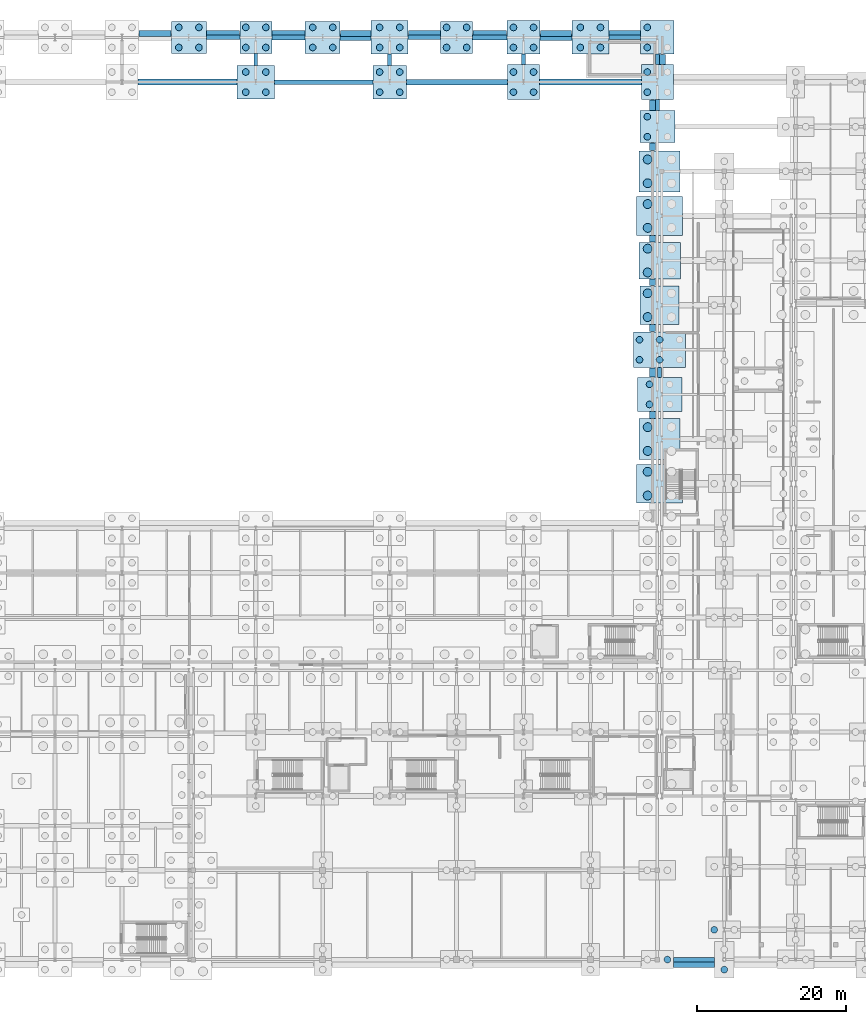
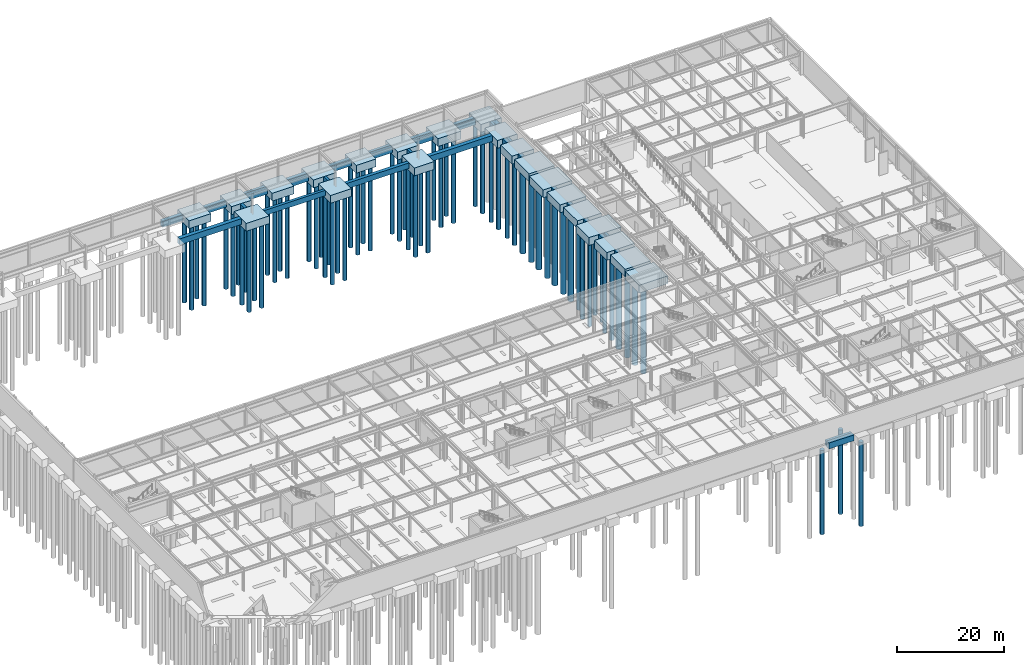
# One storey, part 7 of 65: 67 piles, 56 footings.
"""IFC4 building model written with IfcOpenShell, lengths in metres."""

import ifcopenshell
import ifcopenshell.guid

model = None  # the IFC model being written
_history = None  # IfcOwnerHistory: only IFC2X3 demands one
_inside = {}  # id of a spatial element -> (the spatial element, [elements in it])
_under = {}  # id of a project, library or spatial element -> (it, [spatial elements below it])
_declared = {}  # id of a project -> (the project, [libraries it declares])
_typed = {}  # id of a type object -> (the type object, [elements of that type])
_made_of = {}  # id of a material, layer set ... -> (it, [elements and type objects made of it])


def new_model(schema):
    """Start an empty IFC model of exactly this schema.

    Asked for "IFC4X3", IfcOpenShell would pick the latest addendum, in which some entities
    have other attributes; the version numbers below select the first issue.
    IFC2X3 requires an IfcOwnerHistory on every rooted entity: one is made here for all.
    """
    global model, _history
    if schema == "IFC4X3":
        model = ifcopenshell.file(schema_version=(4, 3, 0, 0))
    else:
        model = ifcopenshell.file(schema=schema)
    _inside.clear()
    _under.clear()
    _declared.clear()
    _typed.clear()
    _made_of.clear()
    _history = None
    if model.schema == "IFC2X3":
        org = make("IfcOrganization", Name="unknown")
        user = make(
            "IfcPersonAndOrganization",
            ThePerson=make("IfcPerson", FamilyName="unknown"),
            TheOrganization=org,
        )
        app = make(
            "IfcApplication",
            ApplicationDeveloper=org,
            Version="unknown",
            ApplicationFullName="unknown",
            ApplicationIdentifier="unknown",
        )
        _history = make(
            "IfcOwnerHistory",
            OwningUser=user,
            OwningApplication=app,
            ChangeAction="ADDED",
            CreationDate=0,
        )
    return model


def make(cls, **values):
    """One entity of the class cls with the attributes given. An attribute that is None is left unset."""
    return model.create_entity(
        cls, **{name: value for name, value in values.items() if value is not None}
    )


def rooted(cls, **values):
    """An entity with a GlobalId (a new one), such as an element, a storey or a relation."""
    return make(cls, GlobalId=ifcopenshell.guid.new(), OwnerHistory=_history, **values)


def si_unit(unit_type, name, prefix=None):
    """IfcSIUnit, for example si_unit("LENGTHUNIT", "METRE", prefix="MILLI")."""
    return make("IfcSIUnit", UnitType=unit_type, Prefix=prefix, Name=name)


def assignment(units):
    """IfcUnitAssignment: the units of a project."""
    return None if units is None else make("IfcUnitAssignment", Units=units)


def point(xyz):
    """IfcCartesianPoint."""
    return None if xyz is None else make("IfcCartesianPoint", Coordinates=xyz)


def direction(xyz):
    """IfcDirection."""
    return None if xyz is None else make("IfcDirection", DirectionRatios=xyz)


def frame(location, z_axis=None, x_axis=None):
    """IfcAxis2Placement3D, a coordinate frame: its origin and axes. An axis left out is left unset."""
    return make(
        "IfcAxis2Placement3D",
        Location=point(location),
        Axis=direction(z_axis),
        RefDirection=direction(x_axis),
    )


def frame_2d(location, x_axis=None):
    """IfcAxis2Placement2D, a coordinate frame in the plane: its origin and x axis."""
    return make(
        "IfcAxis2Placement2D", Location=point(location), RefDirection=direction(x_axis)
    )


def origin():
    """The frame at (0, 0, 0) with its axes left unset."""
    return frame((0.0, 0.0, 0.0))


def origin_2d():
    """The frame at (0, 0) in the plane with its x axis left unset."""
    return frame_2d((0.0, 0.0))


def place(relative_to, where):
    """IfcLocalPlacement: puts the frame where relative to a parent placement (None: the world)."""
    return make(
        "IfcLocalPlacement", PlacementRelTo=relative_to, RelativePlacement=where
    )


def context(
    kind, dimensions, precision=None, world=None, true_north=None, identifier=None
):
    """IfcGeometricRepresentationContext, for example the 3D "Model" context."""
    return make(
        "IfcGeometricRepresentationContext",
        ContextIdentifier=identifier,
        ContextType=kind,
        CoordinateSpaceDimension=dimensions,
        Precision=precision,
        WorldCoordinateSystem=world,
        TrueNorth=true_north,
    )


def subcontext(parent, identifier, kind, view, scale=None):
    """IfcGeometricRepresentationSubContext, for example "Body" below "Model"."""
    return make(
        "IfcGeometricRepresentationSubContext",
        ContextIdentifier=identifier,
        ContextType=kind,
        ParentContext=parent,
        TargetScale=scale,
        TargetView=view,
    )


def project(units=None, contexts=None):
    """IfcProject with its units and contexts."""
    return rooted(
        "IfcProject",
        Name="project",
        RepresentationContexts=contexts,
        UnitsInContext=assignment(units),
    )


def spatial(cls, under=None, at=None, **own):
    """A site, building, storey or space (cls), placed at a placement, below another one or the project."""
    s = rooted(cls, ObjectPlacement=at, **own)
    if under is not None:
        _under.setdefault(under.id(), (under, []))[1].append(s)
    return s


def profile(cls, at=None, kind="AREA", **sizes):
    """A parametric profile (cls). Its sizes go by their IFC names, for example OverallWidth=200.0."""
    return make(cls, ProfileType=kind, Position=at, **sizes)


def rectangle(**sizes):
    """IfcRectangleProfileDef."""
    return profile("IfcRectangleProfileDef", **sizes)


def circle(**sizes):
    """IfcCircleProfileDef."""
    return profile("IfcCircleProfileDef", **sizes)


def extrude(swept, where, along, depth):
    """IfcExtrudedAreaSolid: the profile swept, set in the frame where, extruded along a direction by depth."""
    return make(
        "IfcExtrudedAreaSolid",
        SweptArea=swept,
        Position=where,
        ExtrudedDirection=direction(along),
        Depth=depth,
    )


def shape(context_of_items, identifier, shape_type, items):
    """IfcShapeRepresentation: the items that make up one representation, for example the "Body"."""
    return make(
        "IfcShapeRepresentation",
        ContextOfItems=context_of_items,
        RepresentationIdentifier=identifier,
        RepresentationType=shape_type,
        Items=items,
    )


def material(Name=None, Category=None):
    """IfcMaterial."""
    return make("IfcMaterial", Name=Name, Category=Category)


def material_profile(
    of_material, cross_section, Name=None, Category=None, Priority=None
):
    """IfcMaterialProfile: a cross section and its material."""
    return make(
        "IfcMaterialProfile",
        Name=Name,
        Material=of_material,
        Profile=cross_section,
        Priority=Priority,
        Category=Category,
    )


def profile_set(profiles, Name=None, composite=None):
    """IfcMaterialProfileSet."""
    return make(
        "IfcMaterialProfileSet",
        Name=Name,
        MaterialProfiles=profiles,
        CompositeProfile=composite,
    )


def made_of(thing, what):
    """Note that an element or type object is made of a material, layer set ...; save() writes the relation."""
    if what is not None:
        _made_of.setdefault(what.id(), (what, []))[1].append(thing)
    return thing


def type_object(cls, material=None, **own):
    """A type object (cls), such as IfcWallType, which elements share."""
    return made_of(rooted(cls, **own), material)


def element(
    cls,
    number,
    at=None,
    inside=None,
    cuts=None,
    type_object=None,
    material=None,
    context=None,
    identifier="Body",
    shape_type=None,
    held_by="IfcProductDefinitionShape",
    body=None,
    shapes=None,
    **own,
):
    """One element of the class cls, such as IfcWall. Its Tag is "e" and its number.

    at: its placement. inside: the storey or other place that contains it. cuts: it is an
    opening in that element (IfcRelVoidsElement). A single representation is given by context,
    identifier, shape_type and body (its items); several are given by shapes. held_by: the class
    of the entity that holds the representations. save() writes the other relations.
    """
    e = rooted(cls, Tag="e%d" % number, ObjectPlacement=at, **own)
    if body is not None:
        shapes = [shape(context, identifier, shape_type, body)]
    if shapes is not None:
        e.Representation = make(held_by, Representations=shapes)
    if inside is not None:
        _inside.setdefault(inside.id(), (inside, []))[1].append(e)
    if cuts is not None:
        rooted(
            "IfcRelVoidsElement", RelatingBuildingElement=cuts, RelatedOpeningElement=e
        )
    if type_object is not None:
        _typed.setdefault(type_object.id(), (type_object, []))[1].append(e)
    return made_of(e, material)


def aggregate(whole, parts):
    """IfcRelAggregates: a whole, such as a stair, and the parts it consists of."""
    return rooted("IfcRelAggregates", RelatingObject=whole, RelatedObjects=parts)


def save(model, path):
    """Write the relations noted so far, then the file.

    IfcRelAggregates (storeys below a building ...), IfcRelContainedInSpatialStructure (elements
    in a storey), IfcRelDefinesByType, IfcRelAssociatesMaterial and IfcRelDeclares: one each for
    every whole, place, type object, material and project.
    """
    for whole, parts in _under.values():
        aggregate(whole, parts)
    for where, things in _inside.values():
        rooted(
            "IfcRelContainedInSpatialStructure",
            RelatedElements=things,
            RelatingStructure=where,
        )
    for kind, things in _typed.values():
        rooted("IfcRelDefinesByType", RelatedObjects=things, RelatingType=kind)
    for what, things in _made_of.values():
        rooted("IfcRelAssociatesMaterial", RelatedObjects=things, RelatingMaterial=what)
    for by, libraries in _declared.values():
        rooted("IfcRelDeclares", RelatingContext=by, RelatedDefinitions=libraries)
    model.write(path)


model = new_model("IFC4")

# Units and contexts
model_context = context("Model", 3, precision=1e-05, world=origin(), true_north=direction((0.0, 1.0)))
body_context = subcontext(model_context, "Body", "Model", "MODEL_VIEW")
ifc_project = project(units=[si_unit("LENGTHUNIT", "METRE"), si_unit("AREAUNIT", "SQUARE_METRE"), si_unit("VOLUMEUNIT", "CUBIC_METRE"), si_unit("PLANEANGLEUNIT", "RADIAN"), si_unit("MASSUNIT", "GRAM", prefix="KILO")], contexts=[model_context])

# Site, building, storey
site_placement = place(None, origin())
site = spatial("IfcSite", under=ifc_project, at=site_placement, CompositionType="ELEMENT")
building_placement = place(site_placement, origin())
building = spatial("IfcBuilding", under=site, at=building_placement, Name="Kaldris Quays Convention Centre", CompositionType="ELEMENT")
storey_placement = place(building_placement, frame((0.0, 0.0, -5.39990234375)))
storey = spatial("IfcBuildingStorey", under=building, at=storey_placement, Name="B1", CompositionType="ELEMENT", Elevation=-5.39990234375)

# Piles
ifc_material = material(Name="Concrete C35/45", Category="concrete")
ifc_material_profile_1 = material_profile(ifc_material, circle(Radius=0.449951171875, at=origin_2d()), Name="BORED PILE D900")
ifc_profile_set_1 = profile_set([ifc_material_profile_1], Name="Concrete C35/45")
pile_type_1 = type_object("IfcPileType", Name="BORED PILE P01", PredefinedType="BORED", material=ifc_profile_set_1)
for number, where, z_axis, x_axis, name in (
    (1, (81.64990234375, 138.64990234375, -1.7001953125), (0.0, 0.0, -1.0), (1.0, 0.0, 0.0), "Bored Pile P01 311"),
    (2, (84.35009765625, 138.64990234375, -1.7001953125), (0.0, 0.0, -1.0), (1.0, 0.0, 0.0), "Bored Pile P01 312"),
    (3, (81.64990234375, 141.35009765625, -1.7001953125), (0.0, 0.0, -1.0), (1.0, 0.0, 0.0), "Bored Pile P01 313"),
    (4, (84.35009765625, 141.35009765625, -1.7001953125), (0.0, 0.0, -1.0), (1.0, 0.0, 0.0), "Bored Pile P01 314"),
    (5, (90.64990234375, 132.64990234375, -1.7001953125), (0.0, 0.0, -1.0), (1.0, 0.0, 0.0), "Bored Pile P01 335"),
    (6, (93.35009765625, 132.64990234375, -1.7001953125), (0.0, 0.0, -1.0), (1.0, 0.0, 0.0), "Bored Pile P01 336"),
    (7, (90.64990234375, 135.35009765625, -1.7001953125), (0.0, 0.0, -1.0), (1.0, 0.0, 0.0), "Bored Pile P01 337"),
    (8, (93.35009765625, 135.35009765625, -1.7001953125), (0.0, 0.0, -1.0), (1.0, 0.0, 0.0), "Bored Pile P01 338"),
    (9, (90.64990234375, 138.64990234375, -1.7001953125), (0.0, 0.0, -1.0), (1.0, 0.0, 0.0), "Bored Pile P01 339"),
    (10, (93.35009765625, 138.64990234375, -1.7001953125), (0.0, 0.0, -1.0), (1.0, 0.0, 0.0), "Bored Pile P01 340"),
    (11, (90.64990234375, 141.35009765625, -1.7001953125), (0.0, 0.0, -1.0), (1.0, 0.0, 0.0), "Bored Pile P01 341"),
    (12, (93.35009765625, 141.35009765625, -1.7001953125), (0.0, 0.0, -1.0), (1.0, 0.0, 0.0), "Bored Pile P01 342"),
    (13, (99.64990234375, 138.64990234375, -1.7001953125), (0.0, 0.0, -1.0), (1.0, 0.0, 0.0), "Bored Pile P01 355"),
    (14, (102.35009765625, 138.64990234375, -1.7001953125), (0.0, 0.0, -1.0), (1.0, 0.0, 0.0), "Bored Pile P01 356"),
    (15, (99.64990234375, 141.35009765625, -1.7001953125), (0.0, 0.0, -1.0), (1.0, 0.0, 0.0), "Bored Pile P01 357"),
    (16, (102.35009765625, 141.35009765625, -1.7001953125), (0.0, 0.0, -1.0), (1.0, 0.0, 0.0), "Bored Pile P01 358"),
    (17, (108.64990234375, 132.64990234375, -1.7001953125), (0.0, 0.0, -1.0), (1.0, 0.0, 0.0), "Bored Pile P01 379"),
    (18, (111.35009765625, 132.64990234375, -1.7001953125), (0.0, 0.0, -1.0), (1.0, 0.0, 0.0), "Bored Pile P01 380"),
    (19, (108.64990234375, 135.35009765625, -1.7001953125), (0.0, 0.0, -1.0), (1.0, 0.0, 0.0), "Bored Pile P01 381"),
    (20, (111.35009765625, 135.35009765625, -1.7001953125), (0.0, 0.0, -1.0), (1.0, 0.0, 0.0), "Bored Pile P01 382"),
    (21, (108.64990234375, 138.64990234375, -1.7001953125), (0.0, 0.0, -1.0), (1.0, 0.0, 0.0), "Bored Pile P01 383"),
    (22, (111.35009765625, 138.64990234375, -1.7001953125), (0.0, 0.0, -1.0), (1.0, 0.0, 0.0), "Bored Pile P01 384"),
    (23, (108.64990234375, 141.35009765625, -1.7001953125), (0.0, 0.0, -1.0), (1.0, 0.0, 0.0), "Bored Pile P01 385"),
    (24, (111.35009765625, 141.35009765625, -1.7001953125), (0.0, 0.0, -1.0), (1.0, 0.0, 0.0), "Bored Pile P01 386"),
    (25, (117.64990234375, 138.64990234375, -1.7001953125), (0.0, 0.0, -1.0), (1.0, 0.0, 0.0), "Bored Pile P01 399"),
    (26, (120.35009765625, 138.64990234375, -1.7001953125), (0.0, 0.0, -1.0), (1.0, 0.0, 0.0), "Bored Pile P01 400"),
    (27, (117.64990234375, 141.35009765625, -1.7001953125), (0.0, 0.0, -1.0), (1.0, 0.0, 0.0), "Bored Pile P01 401"),
    (28, (120.35009765625, 141.35009765625, -1.7001953125), (0.0, 0.0, -1.0), (1.0, 0.0, 0.0), "Bored Pile P01 402"),
    (29, (126.64990234375, 132.64990234375, -1.7001953125), (0.0, 0.0, -1.0), (1.0, 0.0, 0.0), "Bored Pile P01 423"),
    (30, (129.35009765625, 132.64990234375, -1.7001953125), (0.0, 0.0, -1.0), (1.0, 0.0, 0.0), "Bored Pile P01 424"),
    (31, (126.64990234375, 135.35009765625, -1.7001953125), (0.0, 0.0, -1.0), (1.0, 0.0, 0.0), "Bored Pile P01 425"),
    (32, (129.35009765625, 135.35009765625, -1.7001953125), (0.0, 0.0, -1.0), (1.0, 0.0, 0.0), "Bored Pile P01 426"),
    (33, (126.64990234375, 138.64990234375, -1.7001953125), (0.0, 0.0, -1.0), (1.0, 0.0, 0.0), "Bored Pile P01 427"),
    (34, (129.35009765625, 138.64990234375, -1.7001953125), (0.0, 0.0, -1.0), (1.0, 0.0, 0.0), "Bored Pile P01 428"),
    (35, (126.64990234375, 141.35009765625, -1.7001953125), (0.0, 0.0, -1.0), (1.0, 0.0, 0.0), "Bored Pile P01 429"),
    (36, (129.35009765625, 141.35009765625, -1.7001953125), (0.0, 0.0, -1.0), (1.0, 0.0, 0.0), "Bored Pile P01 430"),
    (37, (135.64990234375, 138.64990234375, -1.7001953125), (0.0, 0.0, -1.0), (1.0, 0.0, 0.0), "Bored Pile P01 443"),
    (38, (138.35009765625, 138.64990234375, -1.7001953125), (0.0, 0.0, -1.0), (1.0, 0.0, 0.0), "Bored Pile P01 444"),
    (39, (135.64990234375, 141.35009765625, -1.7001953125), (0.0, 0.0, -1.0), (1.0, 0.0, 0.0), "Bored Pile P01 445"),
    (40, (138.35009765625, 141.35009765625, -1.7001953125), (0.0, 0.0, -1.0), (1.0, 0.0, 0.0), "Bored Pile P01 446"),
    (41, (147.35009765625, 16.0, -1.7001953125), (0.0, 0.0, -1.0), (1.0, 0.0, 0.0), "Bored Pile P01 448"),
    (42, (144.949951171875, 90.64990234375, -1.7001953125), (0.0, 0.0, -1.0), (1.0, 0.0, 0.0), "Bored Pile P01 485"),
    (43, (144.949951171875, 93.35009765625, -1.7001953125), (0.0, 0.0, -1.0), (1.0, 0.0, 0.0), "Bored Pile P01 487"),
    (44, (143.60009765625, 96.64990234375, -1.7001953125), (0.0, 0.0, -1.0), (1.0, 0.0, 0.0), "Bored Pile P01 489"),
    (45, (146.300048828125, 96.64990234375, -1.7001953125), (0.0, 0.0, -1.0), (1.0, 0.0, 0.0), "Bored Pile P01 490"),
    (46, (143.60009765625, 99.35009765625, -1.7001953125), (0.0, 0.0, -1.0), (1.0, 0.0, 0.0), "Bored Pile P01 492"),
    (47, (146.300048828125, 99.35009765625, -1.7001953125), (0.0, 0.0, -1.0), (1.0, 0.0, 0.0), "Bored Pile P01 493"),
    (48, (144.64990234375, 126.64990234375, -1.7001953125), (0.0, 0.0, -1.0), (1.0, 0.0, 0.0), "Bored Pile P01 511"),
    (49, (144.64990234375, 129.35009765625, -1.7001953125), (0.0, 0.0, -1.0), (1.0, 0.0, 0.0), "Bored Pile P01 513"),
    (50, (144.64990234375, 132.64990234375, -1.7001953125), (0.0, 0.0, -1.0), (1.0, 0.0, 0.0), "Bored Pile P01 515"),
    (51, (144.64990234375, 135.35009765625, -1.7001953125), (0.0, 0.0, -1.0), (1.0, 0.0, 0.0), "Bored Pile P01 517"),
    (52, (144.64990234375, 138.64990234375, -1.7001953125), (0.0, 0.0, -1.0), (1.0, 0.0, 0.0), "Bored Pile P01 519"),
    (53, (144.64990234375, 141.35009765625, -1.7001953125), (0.0, 0.0, -1.0), (1.0, 0.0, 0.0), "Bored Pile P01 521"),
    (54, (155.0, 14.64990234375, -1.7001953125), (0.0, 0.0, -1.0), (1.0, 0.0, 0.0), "Bored Pile P01 523"),
    (55, (153.64990234375, 20.0, -1.7001953125), (0.0, 0.0, -1.0), (1.0, 0.0, 0.0), "Bored Pile P01 525"),
):
    element("IfcPile", number, at=place(storey_placement, frame(where, z_axis=z_axis, x_axis=x_axis)), inside=storey, type_object=pile_type_1, Name=name, PredefinedType="BORED", context=body_context, shape_type="SweptSolid", body=[
        extrude(circle(Radius=0.449951171875, at=origin_2d()), origin(), (0.0, 0.0, 1.0), 19.300048828125),
    ])
ifc_material_profile_2 = material_profile(ifc_material, circle(Radius=0.60009765625, at=origin_2d()), Name="BORED PILE D1200")
ifc_profile_set_2 = profile_set([ifc_material_profile_2], Name="Concrete C35/45")
pile_type_2 = type_object("IfcPileType", Name="BORED PILE P02", PredefinedType="BORED", material=ifc_profile_set_2)
for number, where, z_axis, x_axis, name in (
    (56, (144.699951171875, 78.39990234375, -1.7001953125), (0.0, 0.0, -1.0), (1.0, 0.0, 0.0), "Bored Pile P02 477"),
    (57, (144.699951171875, 81.60009765625, -1.7001953125), (0.0, 0.0, -1.0), (1.0, 0.0, 0.0), "Bored Pile P02 479"),
    (58, (144.699951171875, 84.39990234375, -1.7001953125), (0.0, 0.0, -1.0), (1.0, 0.0, 0.0), "Bored Pile P02 481"),
    (59, (144.699951171875, 87.60009765625, -1.7001953125), (0.0, 0.0, -1.0), (1.0, 0.0, 0.0), "Bored Pile P02 483"),
    (60, (144.699951171875, 102.39990234375, -1.7001953125), (0.0, 0.0, -1.0), (1.0, 0.0, 0.0), "Bored Pile P02 495"),
    (61, (144.699951171875, 105.60009765625, -1.7001953125), (0.0, 0.0, -1.0), (1.0, 0.0, 0.0), "Bored Pile P02 497"),
    (62, (144.699951171875, 108.39990234375, -1.7001953125), (0.0, 0.0, -1.0), (1.0, 0.0, 0.0), "Bored Pile P02 499"),
    (63, (144.699951171875, 111.60009765625, -1.7001953125), (0.0, 0.0, -1.0), (1.0, 0.0, 0.0), "Bored Pile P02 501"),
    (64, (144.699951171875, 114.39990234375, -1.7001953125), (0.0, 0.0, -1.0), (1.0, 0.0, 0.0), "Bored Pile P02 503"),
    (65, (144.699951171875, 117.60009765625, -1.7001953125), (0.0, 0.0, -1.0), (1.0, 0.0, 0.0), "Bored Pile P02 505"),
    (66, (144.699951171875, 120.39990234375, -1.7001953125), (0.0, 0.0, -1.0), (1.0, 0.0, 0.0), "Bored Pile P02 507"),
    (67, (144.699951171875, 123.60009765625, -1.7001953125), (0.0, 0.0, -1.0), (1.0, 0.0, 0.0), "Bored Pile P02 509"),
):
    element("IfcPile", number, at=place(storey_placement, frame(where, z_axis=z_axis, x_axis=x_axis)), inside=storey, type_object=pile_type_2, Name=name, PredefinedType="BORED", context=body_context, shape_type="SweptSolid", body=[
        extrude(circle(Radius=0.60009765625, at=origin_2d()), origin(), (0.0, 0.0, 1.0), 19.300048828125),
    ])

# Footings
footing_type_1 = type_object("IfcFootingType", Name="CONCRETE FOOTING PC04", PredefinedType="PILE_CAP", material=ifc_material)
for number, where, z_axis, x_axis, name in (
    (68, (92.0, 140.0, -1.80029296875), (0.0, 0.0, 1.0), (1.0, 0.0, 0.0), "Pile Cap CAP-086 (PC04)"),
    (69, (119.0, 140.0, -1.80029296875), (0.0, 0.0, 1.0), (1.0, 0.0, 0.0), "Pile Cap CAP-106 (PC04)"),
):
    element("IfcFooting", number, at=place(storey_placement, frame(where, z_axis=z_axis, x_axis=x_axis)), inside=storey, type_object=footing_type_1, Name=name, PredefinedType="PILE_CAP", context=body_context, shape_type="SweptSolid", body=[
        extrude(rectangle(XDim=4.300048828125, YDim=4.300048828125, at=origin_2d()), origin(), (0.0, 0.0, 1.0), 1.800048828125),
    ])
footing_type_2 = type_object("IfcFootingType", Name="CONCRETE FOOTING PC05", PredefinedType="PILE_CAP", material=ifc_material)
footing_1_placement = place(storey_placement, frame((146.300048828125, 104.0, -1.80029296875), z_axis=(0.0, 0.0, 1.0), x_axis=(1.0, 0.0, 0.0)))
element("IfcFooting", 70, at=footing_1_placement, inside=storey, type_object=footing_type_2, Name="Pile Cap CAP-133 (PC05)", PredefinedType="PILE_CAP", context=body_context, shape_type="SweptSolid", body=[
    extrude(rectangle(XDim=5.199951171875, YDim=5.199951171875, at=origin_2d()), origin(), (0.0, 0.0, 1.0), 1.800048828125),
])
footing_type_3 = type_object("IfcFootingType", Name="CONCRETE FOOTING PC06", PredefinedType="PILE_CAP", material=ifc_material)
footing_2_placement = place(storey_placement, frame((146.300048828125, 98.0, -1.80029296875), z_axis=(0.0, 0.0, 1.0), x_axis=(1.0, 0.0, 0.0)))
element("IfcFooting", 71, at=footing_2_placement, inside=storey, type_object=footing_type_3, Name="Pile Cap CAP-132 (PC06)", PredefinedType="PILE_CAP", context=body_context, shape_type="SweptSolid", body=[
    extrude(rectangle(XDim=7.0, YDim=4.800048828125, at=origin_2d()), origin(), (0.0, 0.0, 1.0), 1.800048828125),
])
footing_type_4 = type_object("IfcFootingType", Name="CONCRETE FOOTING PC07", PredefinedType="PILE_CAP", material=ifc_material)
for number, where, z_axis, x_axis, name in (
    (72, (83.0, 140.0, -1.80029296875), (0.0, 0.0, 1.0), (1.0, 0.0, 0.0), "Pile Cap CAP-077 (PC07)"),
    (73, (101.0, 140.0, -1.80029296875), (0.0, 0.0, 1.0), (1.0, 0.0, 0.0), "Pile Cap CAP-092 (PC07)"),
    (74, (146.0, 128.0, -1.80029296875), (0.0, 0.0, 1.0), (1.0, 0.0, 0.0), "Pile Cap CAP-137 (PC07)"),
):
    element("IfcFooting", number, at=place(storey_placement, frame(where, z_axis=z_axis, x_axis=x_axis)), inside=storey, type_object=footing_type_4, Name=name, PredefinedType="PILE_CAP", context=body_context, shape_type="SweptSolid", body=[
        extrude(rectangle(XDim=4.699951171875, YDim=4.300048828125, at=origin_2d()), origin(), (0.0, 0.0, 1.0), 1.800048828125),
    ])
footing_type_5 = type_object("IfcFootingType", Name="CONCRETE FOOTING PC08", PredefinedType="PILE_CAP", material=ifc_material)
for number, where, z_axis, x_axis, name in (
    (75, (128.0, 134.0, -1.80029296875), (0.0, 0.0, 1.0), (1.0, 0.0, 0.0), "Pile Cap CAP-113 (PC08)"),
    (76, (146.0, 134.0, -1.80029296875), (0.0, 0.0, 1.0), (1.0, 0.0, 0.0), "Pile Cap CAP-138 (PC08)"),
):
    element("IfcFooting", number, at=place(storey_placement, frame(where, z_axis=z_axis, x_axis=x_axis)), inside=storey, type_object=footing_type_5, Name=name, PredefinedType="PILE_CAP", context=body_context, shape_type="SweptSolid", body=[
        extrude(rectangle(XDim=4.300048828125, YDim=4.699951171875, at=origin_2d()), origin(), (0.0, 0.0, 1.0), 1.800048828125),
    ])
footing_type_6 = type_object("IfcFootingType", Name="CONCRETE FOOTING PC09", PredefinedType="PILE_CAP", material=ifc_material)
footing_3_placement = place(storey_placement, frame((146.300048828125, 110.0, -1.80029296875), z_axis=(0.0, 0.0, 1.0), x_axis=(1.0, 0.0, 0.0)))
element("IfcFooting", 77, at=footing_3_placement, inside=storey, type_object=footing_type_6, Name="Pile Cap CAP-134 (PC09)", PredefinedType="PILE_CAP", context=body_context, shape_type="SweptSolid", body=[
    extrude(rectangle(XDim=5.60009765625, YDim=4.89990234375, at=origin_2d()), origin(), (0.0, 0.0, 1.0), 1.800048828125),
])
footing_type_7 = type_object("IfcFootingType", Name="CONCRETE FOOTING PC10", PredefinedType="PILE_CAP", material=ifc_material)
for number, where, z_axis, x_axis, name in (
    (78, (146.300048828125, 80.0, -1.80029296875), (0.0, 0.0, 1.0), (1.0, 0.0, 0.0), "Pile Cap CAP-129 (PC10)"),
    (79, (146.300048828125, 116.0, -1.80029296875), (0.0, 0.0, 1.0), (1.0, 0.0, 0.0), "Pile Cap CAP-135 (PC10)"),
):
    element("IfcFooting", number, at=place(storey_placement, frame(where, z_axis=z_axis, x_axis=x_axis)), inside=storey, type_object=footing_type_7, Name=name, PredefinedType="PILE_CAP", context=body_context, shape_type="SweptSolid", body=[
        extrude(rectangle(XDim=6.199951171875, YDim=5.199951171875, at=origin_2d()), origin(), (0.0, 0.0, 1.0), 1.800048828125),
    ])
footing_type_8 = type_object("IfcFootingType", Name="CONCRETE FOOTING PC13", PredefinedType="PILE_CAP", material=ifc_material)
for number, where, z_axis, x_axis, name in (
    (80, (110.0, 134.0, -1.80029296875), (0.0, 0.0, 1.0), (1.0, 0.0, 0.0), "Pile Cap CAP-099 (PC13)"),
    (81, (128.0, 140.0, -1.80029296875), (0.0, 0.0, 1.0), (1.0, 0.0, 0.0), "Pile Cap CAP-114 (PC13)"),
    (82, (146.0, 140.0, -1.80029296875), (0.0, 0.0, 1.0), (1.0, 0.0, 0.0), "Pile Cap CAP-139 (PC13)"),
):
    element("IfcFooting", number, at=place(storey_placement, frame(where, z_axis=z_axis, x_axis=x_axis)), inside=storey, type_object=footing_type_8, Name=name, PredefinedType="PILE_CAP", context=body_context, shape_type="SweptSolid", body=[
        extrude(rectangle(XDim=4.5, YDim=4.5, at=origin_2d()), origin(), (0.0, 0.0, 1.0), 1.800048828125),
    ])
footing_type_9 = type_object("IfcFootingType", Name="CONCRETE FOOTING PC14", PredefinedType="PILE_CAP", material=ifc_material)
for number, where, z_axis, x_axis, name in (
    (83, (92.0, 134.0, -1.80029296875), (0.0, 0.0, 1.0), (1.0, 0.0, 0.0), "Pile Cap CAP-085 (PC14)"),
    (84, (110.0, 140.0, -1.80029296875), (0.0, 0.0, 1.0), (1.0, 0.0, 0.0), "Pile Cap CAP-100 (PC14)"),
    (85, (137.0, 140.0, -1.80029296875), (0.0, 0.0, 1.0), (1.0, 0.0, 0.0), "Pile Cap CAP-120 (PC14)"),
):
    element("IfcFooting", number, at=place(storey_placement, frame(where, z_axis=z_axis, x_axis=x_axis)), inside=storey, type_object=footing_type_9, Name=name, PredefinedType="PILE_CAP", context=body_context, shape_type="SweptSolid", body=[
        extrude(rectangle(XDim=5.0, YDim=4.5, at=origin_2d()), origin(), (0.0, 0.0, 1.0), 1.800048828125),
    ])
footing_type_10 = type_object("IfcFootingType", Name="CONCRETE FOOTING PC15", PredefinedType="PILE_CAP", material=ifc_material)
for number, where, z_axis, x_axis, name in (
    (86, (146.300048828125, 86.0, -1.80029296875), (0.0, 0.0, 1.0), (1.0, 0.0, 0.0), "Pile Cap CAP-130 (PC15)"),
    (87, (146.300048828125, 122.0, -1.80029296875), (0.0, 0.0, 1.0), (1.0, 0.0, 0.0), "Pile Cap CAP-136 (PC15)"),
):
    element("IfcFooting", number, at=place(storey_placement, frame(where, z_axis=z_axis, x_axis=x_axis)), inside=storey, type_object=footing_type_10, Name=name, PredefinedType="PILE_CAP", context=body_context, shape_type="SweptSolid", body=[
        extrude(rectangle(XDim=5.5, YDim=5.5, at=origin_2d()), origin(), (0.0, 0.0, 1.0), 1.800048828125),
    ])
footing_type_11 = type_object("IfcFootingType", Name="CONCRETE FOOTING PC16", PredefinedType="PILE_CAP", material=ifc_material)
footing_4_placement = place(storey_placement, frame((146.300048828125, 92.0, -1.80029296875), z_axis=(0.0, 0.0, 1.0), x_axis=(1.0, 0.0, 0.0)))
element("IfcFooting", 88, at=footing_4_placement, inside=storey, type_object=footing_type_11, Name="Pile Cap CAP-131 (PC16)", PredefinedType="PILE_CAP", context=body_context, shape_type="SweptSolid", body=[
    extrude(rectangle(XDim=6.0, YDim=4.60009765625, at=origin_2d()), origin(), (0.0, 0.0, 1.0), 1.800048828125),
])
footing_type_12 = type_object("IfcFootingType", Name="GROUND TIE BEAM GB01", PredefinedType="FOOTING_BEAM", material=ifc_material)
footing_5_placement = place(storey_placement, frame((150.925048828125, 16.0, -1.2001953125), z_axis=(0.0, 0.0, 1.0), x_axis=(1.0, 0.0, 0.0)))
element("IfcFooting", 89, at=footing_5_placement, inside=storey, type_object=footing_type_12, Name="Ground Tie Beam GB01 12", PredefinedType="FOOTING_BEAM", context=body_context, shape_type="SweptSolid", body=[
    extrude(rectangle(XDim=5.550048828125, YDim=0.60009765625, at=origin_2d()), origin(), (0.0, 0.0, 1.0), 1.199951171875),
])
footing_6_placement = place(storey_placement, frame((101.125, 134.0, -1.2001953125), z_axis=(0.0, 0.0, 1.0), x_axis=(1.0, 0.0, 0.0)))
element("IfcFooting", 90, at=footing_6_placement, inside=storey, type_object=footing_type_12, Name="Ground Tie Beam GB01 153", PredefinedType="FOOTING_BEAM", context=body_context, shape_type="SweptSolid", body=[
    extrude(rectangle(XDim=13.25, YDim=0.60009765625, at=origin_2d()), origin(), (0.0, 0.0, 1.0), 1.199951171875),
])
footing_7_placement = place(storey_placement, frame((87.60009765625, 140.0, -1.2001953125), z_axis=(0.0, 0.0, 1.0), x_axis=(1.0, 0.0, 0.0)))
element("IfcFooting", 91, at=footing_7_placement, inside=storey, type_object=footing_type_12, Name="Ground Tie Beam GB01 168", PredefinedType="FOOTING_BEAM", context=body_context, shape_type="SweptSolid", body=[
    extrude(rectangle(XDim=4.5, YDim=0.60009765625, at=origin_2d()), origin(), (0.0, 0.0, 1.0), 1.199951171875),
])
footing_8_placement = place(storey_placement, frame((114.675048828125, 140.0, -1.2001953125), z_axis=(0.0, 0.0, 1.0), x_axis=(1.0, 0.0, 0.0)))
element("IfcFooting", 92, at=footing_8_placement, inside=storey, type_object=footing_type_12, Name="Ground Tie Beam GB01 171", PredefinedType="FOOTING_BEAM", context=body_context, shape_type="SweptSolid", body=[
    extrude(rectangle(XDim=4.35009765625, YDim=0.60009765625, at=origin_2d()), origin(), (0.0, 0.0, 1.0), 1.199951171875),
])
footing_9_placement = place(storey_placement, frame((141.625, 140.0, -1.2001953125), z_axis=(0.0, 0.0, 1.0), x_axis=(1.0, 0.0, 0.0)))
element("IfcFooting", 93, at=footing_9_placement, inside=storey, type_object=footing_type_12, Name="Ground Tie Beam GB01 174", PredefinedType="FOOTING_BEAM", context=body_context, shape_type="SweptSolid", body=[
    extrude(rectangle(XDim=4.25, YDim=0.60009765625, at=origin_2d()), origin(), (0.0, 0.0, 1.0), 1.199951171875),
])
footing_type_13 = type_object("IfcFootingType", Name="GROUND TIE BEAM GB02", PredefinedType="FOOTING_BEAM", material=ifc_material)
footing_10_placement = place(storey_placement, frame((119.050048828125, 134.0, -1.25), z_axis=(0.0, 0.0, 1.0), x_axis=(1.0, 0.0, 0.0)))
element("IfcFooting", 94, at=footing_10_placement, inside=storey, type_object=footing_type_13, Name="Ground Tie Beam GB02 154", PredefinedType="FOOTING_BEAM", context=body_context, shape_type="SweptSolid", body=[
    extrude(rectangle(XDim=13.60009765625, YDim=0.719970703125, at=origin_2d()), origin(), (0.0, 0.0, 1.0), 1.25),
])
footing_11_placement = place(storey_placement, frame((96.39990234375, 140.0, -1.25), z_axis=(0.0, 0.0, 1.0), x_axis=(1.0, 0.0, 0.0)))
element("IfcFooting", 95, at=footing_11_placement, inside=storey, type_object=footing_type_13, Name="Ground Tie Beam GB02 169", PredefinedType="FOOTING_BEAM", context=body_context, shape_type="SweptSolid", body=[
    extrude(rectangle(XDim=4.5, YDim=0.719970703125, at=origin_2d()), origin(), (0.0, 0.0, 1.0), 1.25),
])
footing_12_placement = place(storey_placement, frame((123.449951171875, 140.0, -1.25), z_axis=(0.0, 0.0, 1.0), x_axis=(1.0, 0.0, 0.0)))
element("IfcFooting", 96, at=footing_12_placement, inside=storey, type_object=footing_type_13, Name="Ground Tie Beam GB02 172", PredefinedType="FOOTING_BEAM", context=body_context, shape_type="SweptSolid", body=[
    extrude(rectangle(XDim=4.60009765625, YDim=0.719970703125, at=origin_2d()), origin(), (0.0, 0.0, 1.0), 1.25),
])
footing_type_14 = type_object("IfcFootingType", Name="GROUND TIE BEAM GB03", PredefinedType="FOOTING_BEAM", material=ifc_material)
footing_13_placement = place(storey_placement, frame((92.0, 137.050048828125, -1.05029296875), z_axis=(0.0, 0.0, 1.0), x_axis=(1.0, 0.0, 0.0)))
element("IfcFooting", 97, at=footing_13_placement, inside=storey, type_object=footing_type_14, Name="Ground Tie Beam GB03 238", PredefinedType="FOOTING_BEAM", context=body_context, shape_type="SweptSolid", body=[
    extrude(rectangle(XDim=0.52001953125, YDim=1.60009765625, at=origin_2d()), origin(), (0.0, 0.0, 1.0), 1.050048828125),
])
footing_14_placement = place(storey_placement, frame((110.0, 137.0, -1.05029296875), z_axis=(0.0, 0.0, 1.0), x_axis=(1.0, 0.0, 0.0)))
element("IfcFooting", 98, at=footing_14_placement, inside=storey, type_object=footing_type_14, Name="Ground Tie Beam GB03 248", PredefinedType="FOOTING_BEAM", context=body_context, shape_type="SweptSolid", body=[
    extrude(rectangle(XDim=0.52001953125, YDim=1.5, at=origin_2d()), origin(), (0.0, 0.0, 1.0), 1.050048828125),
])
footing_15_placement = place(storey_placement, frame((128.0, 137.050048828125, -1.05029296875), z_axis=(0.0, 0.0, 1.0), x_axis=(1.0, 0.0, 0.0)))
element("IfcFooting", 99, at=footing_15_placement, inside=storey, type_object=footing_type_14, Name="Ground Tie Beam GB03 258", PredefinedType="FOOTING_BEAM", context=body_context, shape_type="SweptSolid", body=[
    extrude(rectangle(XDim=0.52001953125, YDim=1.39990234375, at=origin_2d()), origin(), (0.0, 0.0, 1.0), 1.050048828125),
])
footing_16_placement = place(storey_placement, frame((146.0, 130.89990234375, -1.05029296875), z_axis=(0.0, 0.0, 1.0), x_axis=(1.0, 0.0, 0.0)))
element("IfcFooting", 100, at=footing_16_placement, inside=storey, type_object=footing_type_14, Name="Ground Tie Beam GB03 264", PredefinedType="FOOTING_BEAM", context=body_context, shape_type="SweptSolid", body=[
    extrude(rectangle(XDim=0.52001953125, YDim=1.5, at=origin_2d()), origin(), (0.0, 0.0, 1.0), 1.050048828125),
])
footing_17_placement = place(storey_placement, frame((146.0, 137.050048828125, -1.05029296875), z_axis=(0.0, 0.0, 1.0), x_axis=(1.0, 0.0, 0.0)))
element("IfcFooting", 101, at=footing_17_placement, inside=storey, type_object=footing_type_14, Name="Ground Tie Beam GB03 265", PredefinedType="FOOTING_BEAM", context=body_context, shape_type="SweptSolid", body=[
    extrude(rectangle(XDim=0.52001953125, YDim=1.39990234375, at=origin_2d()), origin(), (0.0, 0.0, 1.0), 1.050048828125),
])
footing_18_placement = place(storey_placement, frame((146.300048828125, 94.949951171875, -1.05029296875), z_axis=(0.0, 0.0, 1.0), x_axis=(1.0, 0.0, 0.0)))
element("IfcFooting", 102, at=footing_18_placement, inside=storey, type_object=footing_type_14, Name="Ground Tie Beam GB03 269", PredefinedType="FOOTING_BEAM", context=body_context, shape_type="SweptSolid", body=[
    extrude(rectangle(XDim=0.52001953125, YDim=1.300048828125, at=origin_2d()), origin(), (0.0, 0.0, 1.0), 1.050048828125),
])
footing_type_15 = type_object("IfcFootingType", Name="GROUND TIE BEAM GB04", PredefinedType="FOOTING_BEAM", material=ifc_material)
footing_19_placement = place(storey_placement, frame((82.824951171875, 134.0, -1.35009765625), z_axis=(0.0, 0.0, 1.0), x_axis=(1.0, 0.0, 0.0)))
element("IfcFooting", 103, at=footing_19_placement, inside=storey, type_object=footing_type_15, Name="Ground Tie Beam GB04 152", PredefinedType="FOOTING_BEAM", context=body_context, shape_type="SweptSolid", body=[
    extrude(rectangle(XDim=13.35009765625, YDim=0.840087890625, at=origin_2d()), origin(), (0.0, 0.0, 1.0), 1.35009765625),
])
footing_20_placement = place(storey_placement, frame((137.0, 134.0, -1.35009765625), z_axis=(0.0, 0.0, 1.0), x_axis=(1.0, 0.0, 0.0)))
element("IfcFooting", 104, at=footing_20_placement, inside=storey, type_object=footing_type_15, Name="Ground Tie Beam GB04 155", PredefinedType="FOOTING_BEAM", context=body_context, shape_type="SweptSolid", body=[
    extrude(rectangle(XDim=13.699951171875, YDim=0.840087890625, at=origin_2d()), origin(), (0.0, 0.0, 1.0), 1.35009765625),
])
footing_21_placement = place(storey_placement, frame((105.425048828125, 140.0, -1.35009765625), z_axis=(0.0, 0.0, 1.0), x_axis=(1.0, 0.0, 0.0)))
element("IfcFooting", 105, at=footing_21_placement, inside=storey, type_object=footing_type_15, Name="Ground Tie Beam GB04 170", PredefinedType="FOOTING_BEAM", context=body_context, shape_type="SweptSolid", body=[
    extrude(rectangle(XDim=4.14990234375, YDim=0.840087890625, at=origin_2d()), origin(), (0.0, 0.0, 1.0), 1.35009765625),
])
footing_22_placement = place(storey_placement, frame((132.375, 140.0, -1.35009765625), z_axis=(0.0, 0.0, 1.0), x_axis=(1.0, 0.0, 0.0)))
element("IfcFooting", 106, at=footing_22_placement, inside=storey, type_object=footing_type_15, Name="Ground Tie Beam GB04 173", PredefinedType="FOOTING_BEAM", context=body_context, shape_type="SweptSolid", body=[
    extrude(rectangle(XDim=4.25, YDim=0.840087890625, at=origin_2d()), origin(), (0.0, 0.0, 1.0), 1.35009765625),
])
footing_23_placement = place(storey_placement, frame((145.35009765625, 89.22509765625, -1.35009765625), z_axis=(0.0, 0.0, 1.0), x_axis=(1.0, 0.0, 0.0)))
element("IfcFooting", 107, at=footing_23_placement, inside=storey, type_object=footing_type_15, Name="Perimeter Retaining Wall Strip Footing GB04 18", PredefinedType="FOOTING_BEAM", context=body_context, shape_type="SweptSolid", body=[
    extrude(rectangle(XDim=0.840087890625, YDim=0.889892578125, at=origin_2d()), origin(), (0.0, 0.0, 1.0), 1.35009765625),
])
footing_24_placement = place(storey_placement, frame((145.35009765625, 94.949951171875, -1.35009765625), z_axis=(0.0, 0.0, 1.0), x_axis=(1.0, 0.0, 0.0)))
element("IfcFooting", 108, at=footing_24_placement, inside=storey, type_object=footing_type_15, Name="Perimeter Retaining Wall Strip Footing GB04 19", PredefinedType="FOOTING_BEAM", context=body_context, shape_type="SweptSolid", body=[
    extrude(rectangle(XDim=0.840087890625, YDim=1.239990234375, at=origin_2d()), origin(), (0.0, 0.0, 1.0), 1.35009765625),
])
footing_25_placement = place(storey_placement, frame((145.35009765625, 100.89990234375, -1.35009765625), z_axis=(0.0, 0.0, 1.0), x_axis=(1.0, 0.0, 0.0)))
element("IfcFooting", 109, at=footing_25_placement, inside=storey, type_object=footing_type_15, Name="Perimeter Retaining Wall Strip Footing GB04 20", PredefinedType="FOOTING_BEAM", context=body_context, shape_type="SweptSolid", body=[
    extrude(rectangle(XDim=0.840087890625, YDim=0.93994140625, at=origin_2d()), origin(), (0.0, 0.0, 1.0), 1.35009765625),
])
for number, where, z_axis, x_axis, name in (
    (110, (145.35009765625, 107.074951171875, -1.35009765625), (0.0, 0.0, 1.0), (1.0, 0.0, 0.0), "Perimeter Retaining Wall Strip Footing GB04 21"),
    (111, (145.35009765625, 112.925048828125, -1.35009765625), (0.0, 0.0, 1.0), (1.0, 0.0, 0.0), "Perimeter Retaining Wall Strip Footing GB04 22"),
):
    element("IfcFooting", number, at=place(storey_placement, frame(where, z_axis=z_axis, x_axis=x_axis)), inside=storey, type_object=footing_type_15, Name=name, PredefinedType="FOOTING_BEAM", context=body_context, shape_type="SweptSolid", body=[
        extrude(rectangle(XDim=0.840087890625, YDim=0.889892578125, at=origin_2d()), origin(), (0.0, 0.0, 1.0), 1.35009765625),
    ])
footing_26_placement = place(storey_placement, frame((145.35009765625, 125.300048828125, -1.35009765625), z_axis=(0.0, 0.0, 1.0), x_axis=(1.0, 0.0, 0.0)))
element("IfcFooting", 112, at=footing_26_placement, inside=storey, type_object=footing_type_15, Name="Perimeter Retaining Wall Strip Footing GB04 23", PredefinedType="FOOTING_BEAM", context=body_context, shape_type="SweptSolid", body=[
    extrude(rectangle(XDim=0.840087890625, YDim=1.0400390625, at=origin_2d()), origin(), (0.0, 0.0, 1.0), 1.35009765625),
])
footing_27_placement = place(storey_placement, frame((145.35009765625, 130.89990234375, -1.35009765625), z_axis=(0.0, 0.0, 1.0), x_axis=(1.0, 0.0, 0.0)))
element("IfcFooting", 113, at=footing_27_placement, inside=storey, type_object=footing_type_15, Name="Perimeter Retaining Wall Strip Footing GB04 24", PredefinedType="FOOTING_BEAM", context=body_context, shape_type="SweptSolid", body=[
    extrude(rectangle(XDim=0.840087890625, YDim=1.43994140625, at=origin_2d()), origin(), (0.0, 0.0, 1.0), 1.35009765625),
])
footing_28_placement = place(storey_placement, frame((150.925048828125, 15.35009765625, -1.35009765625), z_axis=(0.0, 0.0, 1.0), x_axis=(1.0, 0.0, 0.0)))
element("IfcFooting", 114, at=footing_28_placement, inside=storey, type_object=footing_type_15, Name="Perimeter Retaining Wall Strip Footing GB04 48", PredefinedType="FOOTING_BEAM", context=body_context, shape_type="SweptSolid", body=[
    extrude(rectangle(XDim=5.489990234375, YDim=0.840087890625, at=origin_2d()), origin(), (0.0, 0.0, 1.0), 1.35009765625),
])
for number, where, z_axis, x_axis, name in (
    (115, (141.625, 140.489990234375, -1.35009765625), (0.0, 0.0, 1.0), (1.0, 0.0, 0.0), "Perimeter Retaining Wall Strip Footing GB04 62"),
    (116, (132.375, 140.550048828125, -1.35009765625), (0.0, 0.0, 1.0), (1.0, 0.0, 0.0), "Perimeter Retaining Wall Strip Footing GB04 63"),
):
    element("IfcFooting", number, at=place(storey_placement, frame(where, z_axis=z_axis, x_axis=x_axis)), inside=storey, type_object=footing_type_15, Name=name, PredefinedType="FOOTING_BEAM", context=body_context, shape_type="SweptSolid", body=[
        extrude(rectangle(XDim=4.18994140625, YDim=0.840087890625, at=origin_2d()), origin(), (0.0, 0.0, 1.0), 1.35009765625),
    ])
footing_29_placement = place(storey_placement, frame((123.449951171875, 140.52001953125, -1.35009765625), z_axis=(0.0, 0.0, 1.0), x_axis=(1.0, 0.0, 0.0)))
element("IfcFooting", 117, at=footing_29_placement, inside=storey, type_object=footing_type_15, Name="Perimeter Retaining Wall Strip Footing GB04 64", PredefinedType="FOOTING_BEAM", context=body_context, shape_type="SweptSolid", body=[
    extrude(rectangle(XDim=4.5400390625, YDim=0.840087890625, at=origin_2d()), origin(), (0.0, 0.0, 1.0), 1.35009765625),
])
footing_30_placement = place(storey_placement, frame((114.675048828125, 140.489990234375, -1.35009765625), z_axis=(0.0, 0.0, 1.0), x_axis=(1.0, 0.0, 0.0)))
element("IfcFooting", 118, at=footing_30_placement, inside=storey, type_object=footing_type_15, Name="Perimeter Retaining Wall Strip Footing GB04 65", PredefinedType="FOOTING_BEAM", context=body_context, shape_type="SweptSolid", body=[
    extrude(rectangle(XDim=4.2900390625, YDim=0.840087890625, at=origin_2d()), origin(), (0.0, 0.0, 1.0), 1.35009765625),
])
footing_31_placement = place(storey_placement, frame((105.425048828125, 140.550048828125, -1.35009765625), z_axis=(0.0, 0.0, 1.0), x_axis=(1.0, 0.0, 0.0)))
element("IfcFooting", 119, at=footing_31_placement, inside=storey, type_object=footing_type_15, Name="Perimeter Retaining Wall Strip Footing GB04 66", PredefinedType="FOOTING_BEAM", context=body_context, shape_type="SweptSolid", body=[
    extrude(rectangle(XDim=4.090087890625, YDim=0.840087890625, at=origin_2d()), origin(), (0.0, 0.0, 1.0), 1.35009765625),
])
for number, where, z_axis, x_axis, name in (
    (120, (96.39990234375, 140.52001953125, -1.35009765625), (0.0, 0.0, 1.0), (1.0, 0.0, 0.0), "Perimeter Retaining Wall Strip Footing GB04 67"),
    (121, (87.60009765625, 140.489990234375, -1.35009765625), (0.0, 0.0, 1.0), (1.0, 0.0, 0.0), "Perimeter Retaining Wall Strip Footing GB04 68"),
):
    element("IfcFooting", number, at=place(storey_placement, frame(where, z_axis=z_axis, x_axis=x_axis)), inside=storey, type_object=footing_type_15, Name=name, PredefinedType="FOOTING_BEAM", context=body_context, shape_type="SweptSolid", body=[
        extrude(rectangle(XDim=4.43994140625, YDim=0.840087890625, at=origin_2d()), origin(), (0.0, 0.0, 1.0), 1.35009765625),
    ])
footing_32_placement = place(storey_placement, frame((78.449951171875, 140.550048828125, -1.35009765625), z_axis=(0.0, 0.0, 1.0), x_axis=(1.0, 0.0, 0.0)))
element("IfcFooting", 122, at=footing_32_placement, inside=storey, type_object=footing_type_15, Name="Perimeter Retaining Wall Strip Footing GB04 69", PredefinedType="FOOTING_BEAM", context=body_context, shape_type="SweptSolid", body=[
    extrude(rectangle(XDim=4.340087890625, YDim=0.840087890625, at=origin_2d()), origin(), (0.0, 0.0, 1.0), 1.35009765625),
])
footing_33_placement = place(storey_placement, frame((146.64990234375, 137.050048828125, -1.35009765625), z_axis=(0.0, 0.0, 1.0), x_axis=(1.0, 0.0, 0.0)))
element("IfcFooting", 123, at=footing_33_placement, inside=storey, type_object=footing_type_15, Name="Perimeter Retaining Wall Strip Footing GB04 87", PredefinedType="FOOTING_BEAM", context=body_context, shape_type="SweptSolid", body=[
    extrude(rectangle(XDim=0.840087890625, YDim=1.340087890625, at=origin_2d()), origin(), (0.0, 0.0, 1.0), 1.35009765625),
])

save(model, "model.ifc")
